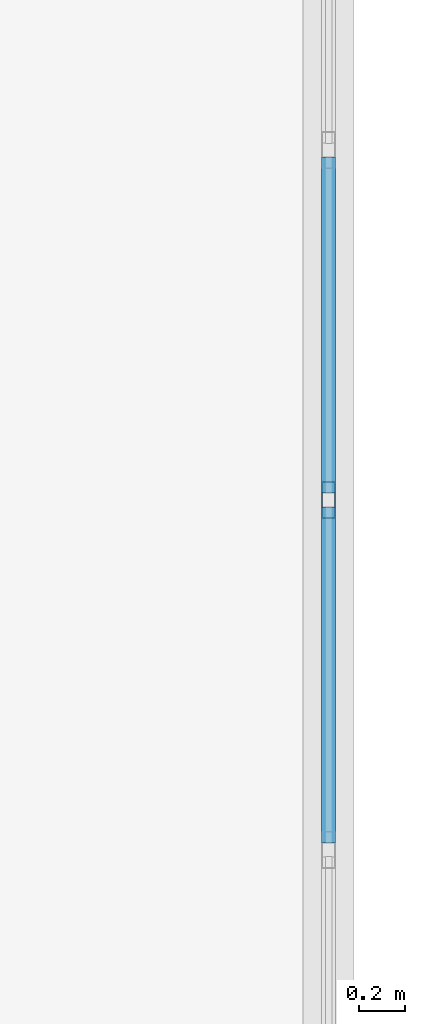
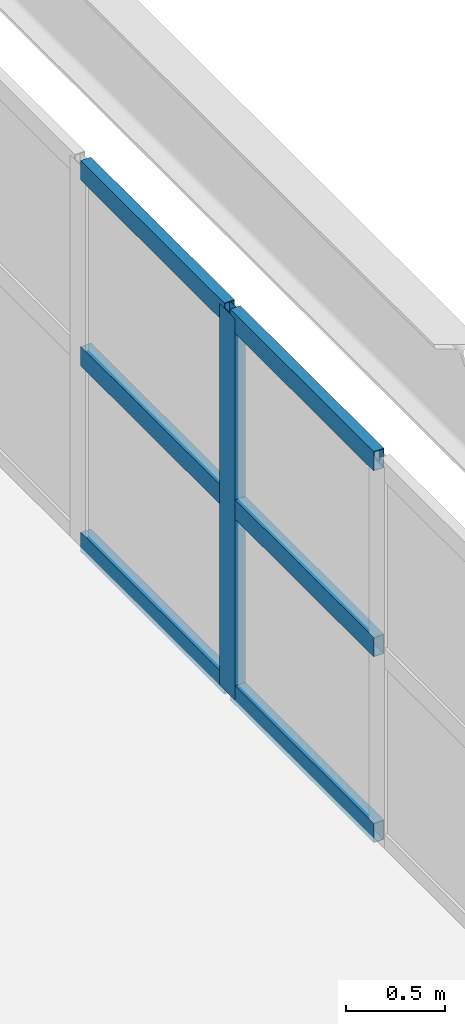
# One storey, part 36 of 74: 7 members, 1 element without a shape of its own.
"""IFC4 building model written with IfcOpenShell, lengths in metres."""

from ifc_helpers import new_model, si_unit, direction, frame, origin, origin_2d, place, context, subcontext, project, spatial, hollow_rectangle, extrude, material, layer, layer_set, material_profile, profile_set, type_object, element, aggregate, save


model = new_model("IFC4")

# Units and contexts
model_context = context("Model", 3, precision=1e-05, world=origin(), true_north=direction((0.0, 1.0)))
body_context = subcontext(model_context, "Body", "Model", "MODEL_VIEW")
ifc_project = project(units=[si_unit("LENGTHUNIT", "METRE"), si_unit("AREAUNIT", "SQUARE_METRE"), si_unit("VOLUMEUNIT", "CUBIC_METRE"), si_unit("PLANEANGLEUNIT", "RADIAN"), si_unit("MASSUNIT", "GRAM", prefix="KILO")], contexts=[model_context])

# Site, building, storey
site_placement = place(None, origin())
site = spatial("IfcSite", under=ifc_project, at=site_placement, CompositionType="ELEMENT")
building_placement = place(site_placement, origin())
building = spatial("IfcBuilding", under=site, at=building_placement, Name="Muzn Square Opera House", CompositionType="ELEMENT")
storey_placement = place(building_placement, frame((0.0, 0.0, 14.199951171875)))
storey = spatial("IfcBuildingStorey", under=building, at=storey_placement, Name="L03", CompositionType="ELEMENT", Elevation=14.199951171875)

# Curtain wall, members
ifc_material_1 = material(Name="Low-E laminated acoustic double glazing", Category="glass")
ifc_layer = layer(ifc_material_1, 0.159912109375, Name="Low-E laminated acoustic double glazing", Category="glass")
ifc_layer_set = layer_set([ifc_layer], Name="Low-E laminated acoustic double glazing")
curtain_wall_type = type_object("IfcCurtainWallType", Name="Glazed Curtain Wall RehearsalEast 12075x2350", PredefinedType="USERDEFINED", material=ifc_layer_set)
curtain_wall_placement = place(storey_placement, origin())
curtain_wall = element("IfcCurtainWall", 1, at=curtain_wall_placement, inside=storey, type_object=curtain_wall_type, Name="Glazed Curtain Wall CW-L03-129", ObjectType="GLAZED CURTAIN WALL", PredefinedType="USERDEFINED")
ifc_material_2 = material(Name="Anodised bronze aluminium 6063-T6", Category="metal")
ifc_material_profile_1 = material_profile(ifc_material_2, hollow_rectangle(XDim=0.06005859375, YDim=0.159912109375, WallThickness=0.00390625, at=origin_2d()), Name="ALU 160x60x4", Category="metal")
ifc_profile_set_1 = profile_set([ifc_material_profile_1], Name="Anodised bronze aluminium 6063-T6")
member_type_1 = type_object("IfcMemberType", Name="Curtain Wall Mullion 160x60", PredefinedType="MULLION", material=ifc_profile_set_1)
member_1_placement = place(storey_placement, frame((170.0, 104.96240234375, 0.0), z_axis=(0.0, 0.0, 1.0), x_axis=(-1.0, 0.0, 0.0)))
member_1 = element("IfcMember", 2, at=member_1_placement, type_object=member_type_1, Name="CW-RHE-120x23 mullion 5", PredefinedType="MULLION", context=body_context, shape_type="SweptSolid", body=[
    extrude(hollow_rectangle(XDim=0.06005859375, YDim=0.159912109375, WallThickness=0.00390625, at=origin_2d()), origin(), (0.0, 0.0, 1.0), 2.35009765625),
])
ifc_material_profile_2 = material_profile(ifc_material_2, hollow_rectangle(XDim=0.06005859375, YDim=0.1201171875, WallThickness=0.00390625, at=origin_2d()), Name="ALU 120x60x4", Category="metal")
ifc_profile_set_2 = profile_set([ifc_material_profile_2], Name="Anodised bronze aluminium 6063-T6")
member_type_2 = type_object("IfcMemberType", Name="Curtain Wall Transom 120x60", PredefinedType="USERDEFINED", material=ifc_profile_set_2)
member_2_placement = place(storey_placement, frame((170.0, 103.483154296875, 0.030029296875), z_axis=(0.0, 1.0, 0.0), x_axis=(-1.0, 0.0, 0.0)))
member_2 = element("IfcMember", 3, at=member_2_placement, type_object=member_type_2, Name="CW-RHE-120x23 transom 4.1", ObjectType="TRANSOM", PredefinedType="USERDEFINED", context=body_context, shape_type="SweptSolid", body=[
    extrude(hollow_rectangle(XDim=0.06005859375, YDim=0.1201171875, WallThickness=0.00390625, at=origin_2d()), origin(), (0.0, 0.0, 1.0), 1.449462890625),
])
member_3_placement = place(storey_placement, frame((170.0, 103.483154296875, 1.175048828125), z_axis=(0.0, 1.0, 0.0), x_axis=(-1.0, 0.0, 0.0)))
member_3 = element("IfcMember", 4, at=member_3_placement, type_object=member_type_2, Name="CW-RHE-120x23 transom 4.2", ObjectType="TRANSOM", PredefinedType="USERDEFINED", context=body_context, shape_type="SweptSolid", body=[
    extrude(hollow_rectangle(XDim=0.06005859375, YDim=0.1201171875, WallThickness=0.00390625, at=origin_2d()), origin(), (0.0, 0.0, 1.0), 1.449462890625),
])
member_4_placement = place(storey_placement, frame((170.0, 103.483154296875, 2.320068359375), z_axis=(0.0, 1.0, 0.0), x_axis=(-1.0, 0.0, 0.0)))
member_4 = element("IfcMember", 5, at=member_4_placement, type_object=member_type_2, Name="CW-RHE-120x23 transom 4.3", ObjectType="TRANSOM", PredefinedType="USERDEFINED", context=body_context, shape_type="SweptSolid", body=[
    extrude(hollow_rectangle(XDim=0.06005859375, YDim=0.1201171875, WallThickness=0.00390625, at=origin_2d()), origin(), (0.0, 0.0, 1.0), 1.449462890625),
])
member_5_placement = place(storey_placement, frame((170.0, 104.992431640625, 0.030029296875), z_axis=(0.0, 1.0, 0.0), x_axis=(-1.0, 0.0, 0.0)))
member_5 = element("IfcMember", 6, at=member_5_placement, type_object=member_type_2, Name="CW-RHE-120x23 transom 5.1", ObjectType="TRANSOM", PredefinedType="USERDEFINED", context=body_context, shape_type="SweptSolid", body=[
    extrude(hollow_rectangle(XDim=0.06005859375, YDim=0.1201171875, WallThickness=0.00390625, at=origin_2d()), origin(), (0.0, 0.0, 1.0), 1.449462890625),
])
member_6_placement = place(storey_placement, frame((170.0, 104.992431640625, 1.175048828125), z_axis=(0.0, 1.0, 0.0), x_axis=(-1.0, 0.0, 0.0)))
member_6 = element("IfcMember", 7, at=member_6_placement, type_object=member_type_2, Name="CW-RHE-120x23 transom 5.2", ObjectType="TRANSOM", PredefinedType="USERDEFINED", context=body_context, shape_type="SweptSolid", body=[
    extrude(hollow_rectangle(XDim=0.06005859375, YDim=0.1201171875, WallThickness=0.00390625, at=origin_2d()), origin(), (0.0, 0.0, 1.0), 1.449462890625),
])
member_7_placement = place(storey_placement, frame((170.0, 104.992431640625, 2.320068359375), z_axis=(0.0, 1.0, 0.0), x_axis=(-1.0, 0.0, 0.0)))
member_7 = element("IfcMember", 8, at=member_7_placement, type_object=member_type_2, Name="CW-RHE-120x23 transom 5.3", ObjectType="TRANSOM", PredefinedType="USERDEFINED", context=body_context, shape_type="SweptSolid", body=[
    extrude(hollow_rectangle(XDim=0.06005859375, YDim=0.1201171875, WallThickness=0.00390625, at=origin_2d()), origin(), (0.0, 0.0, 1.0), 1.449462890625),
])
aggregate(curtain_wall, [member_1, member_2, member_3, member_4, member_5, member_6, member_7])

save(model, "model.ifc")
